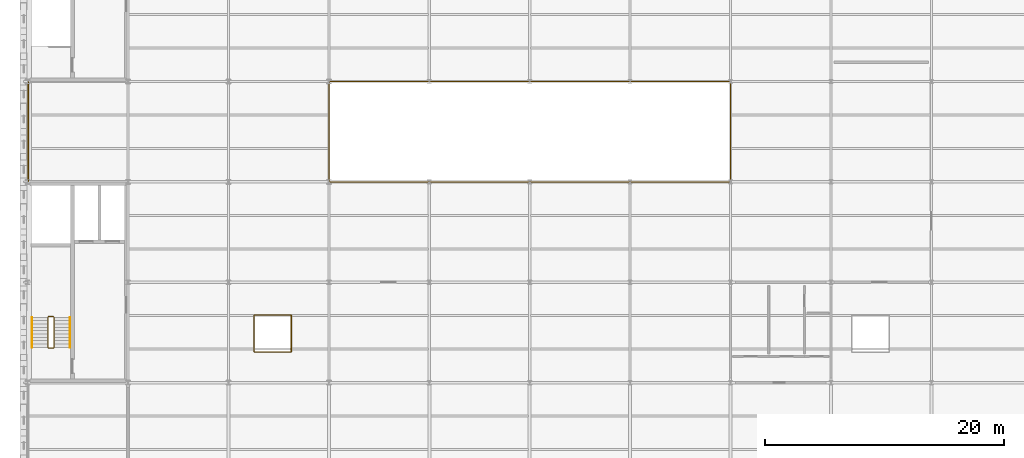
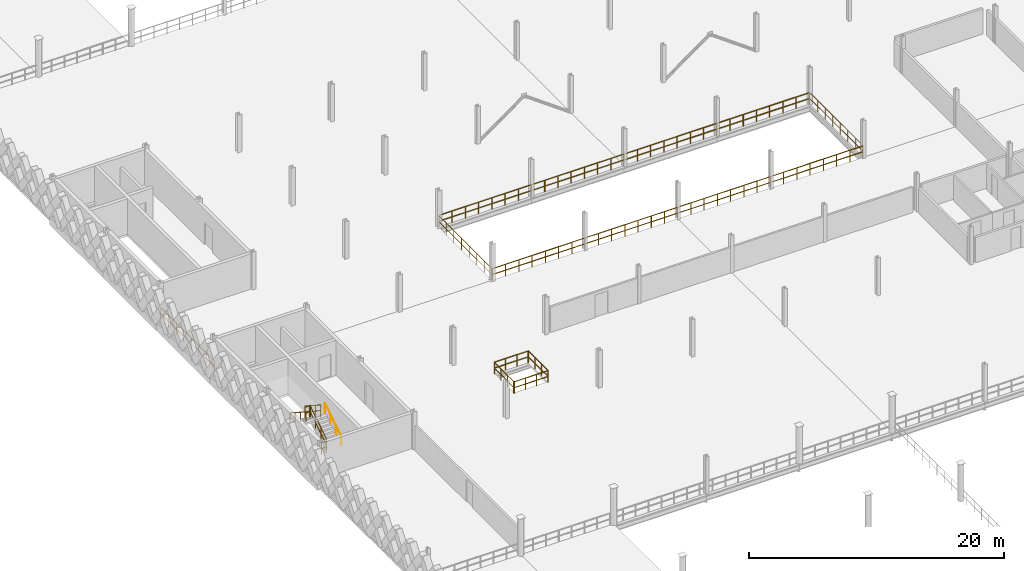
# One storey, part 44 of 47: 15 railings.
"""IFC4 building model written with IfcOpenShell, lengths in metres."""

import ifcopenshell
import ifcopenshell.guid

model = None  # the IFC model being written
_history = None  # IfcOwnerHistory: only IFC2X3 demands one
_inside = {}  # id of a spatial element -> (the spatial element, [elements in it])
_under = {}  # id of a project, library or spatial element -> (it, [spatial elements below it])
_declared = {}  # id of a project -> (the project, [libraries it declares])
_typed = {}  # id of a type object -> (the type object, [elements of that type])
_made_of = {}  # id of a material, layer set ... -> (it, [elements and type objects made of it])


def new_model(schema):
    """Start an empty IFC model of exactly this schema.

    Asked for "IFC4X3", IfcOpenShell would pick the latest addendum, in which some entities
    have other attributes; the version numbers below select the first issue.
    IFC2X3 requires an IfcOwnerHistory on every rooted entity: one is made here for all.
    """
    global model, _history
    if schema == "IFC4X3":
        model = ifcopenshell.file(schema_version=(4, 3, 0, 0))
    else:
        model = ifcopenshell.file(schema=schema)
    _inside.clear()
    _under.clear()
    _declared.clear()
    _typed.clear()
    _made_of.clear()
    _history = None
    if model.schema == "IFC2X3":
        org = make("IfcOrganization", Name="unknown")
        user = make(
            "IfcPersonAndOrganization",
            ThePerson=make("IfcPerson", FamilyName="unknown"),
            TheOrganization=org,
        )
        app = make(
            "IfcApplication",
            ApplicationDeveloper=org,
            Version="unknown",
            ApplicationFullName="unknown",
            ApplicationIdentifier="unknown",
        )
        _history = make(
            "IfcOwnerHistory",
            OwningUser=user,
            OwningApplication=app,
            ChangeAction="ADDED",
            CreationDate=0,
        )
    return model


def make(cls, **values):
    """One entity of the class cls with the attributes given. An attribute that is None is left unset."""
    return model.create_entity(
        cls, **{name: value for name, value in values.items() if value is not None}
    )


def rooted(cls, **values):
    """An entity with a GlobalId (a new one), such as an element, a storey or a relation."""
    return make(cls, GlobalId=ifcopenshell.guid.new(), OwnerHistory=_history, **values)


def si_unit(unit_type, name, prefix=None):
    """IfcSIUnit, for example si_unit("LENGTHUNIT", "METRE", prefix="MILLI")."""
    return make("IfcSIUnit", UnitType=unit_type, Prefix=prefix, Name=name)


def assignment(units):
    """IfcUnitAssignment: the units of a project."""
    return None if units is None else make("IfcUnitAssignment", Units=units)


def point(xyz):
    """IfcCartesianPoint."""
    return None if xyz is None else make("IfcCartesianPoint", Coordinates=xyz)


def direction(xyz):
    """IfcDirection."""
    return None if xyz is None else make("IfcDirection", DirectionRatios=xyz)


def frame(location, z_axis=None, x_axis=None):
    """IfcAxis2Placement3D, a coordinate frame: its origin and axes. An axis left out is left unset."""
    return make(
        "IfcAxis2Placement3D",
        Location=point(location),
        Axis=direction(z_axis),
        RefDirection=direction(x_axis),
    )


def frame_2d(location, x_axis=None):
    """IfcAxis2Placement2D, a coordinate frame in the plane: its origin and x axis."""
    return make(
        "IfcAxis2Placement2D", Location=point(location), RefDirection=direction(x_axis)
    )


def origin():
    """The frame at (0, 0, 0) with its axes left unset."""
    return frame((0.0, 0.0, 0.0))


def origin_2d():
    """The frame at (0, 0) in the plane with its x axis left unset."""
    return frame_2d((0.0, 0.0))


def place(relative_to, where):
    """IfcLocalPlacement: puts the frame where relative to a parent placement (None: the world)."""
    return make(
        "IfcLocalPlacement", PlacementRelTo=relative_to, RelativePlacement=where
    )


def context(
    kind, dimensions, precision=None, world=None, true_north=None, identifier=None
):
    """IfcGeometricRepresentationContext, for example the 3D "Model" context."""
    return make(
        "IfcGeometricRepresentationContext",
        ContextIdentifier=identifier,
        ContextType=kind,
        CoordinateSpaceDimension=dimensions,
        Precision=precision,
        WorldCoordinateSystem=world,
        TrueNorth=true_north,
    )


def subcontext(parent, identifier, kind, view, scale=None):
    """IfcGeometricRepresentationSubContext, for example "Body" below "Model"."""
    return make(
        "IfcGeometricRepresentationSubContext",
        ContextIdentifier=identifier,
        ContextType=kind,
        ParentContext=parent,
        TargetScale=scale,
        TargetView=view,
    )


def project(units=None, contexts=None):
    """IfcProject with its units and contexts."""
    return rooted(
        "IfcProject",
        Name="project",
        RepresentationContexts=contexts,
        UnitsInContext=assignment(units),
    )


def spatial(cls, under=None, at=None, **own):
    """A site, building, storey or space (cls), placed at a placement, below another one or the project."""
    s = rooted(cls, ObjectPlacement=at, **own)
    if under is not None:
        _under.setdefault(under.id(), (under, []))[1].append(s)
    return s


def profile(cls, at=None, kind="AREA", **sizes):
    """A parametric profile (cls). Its sizes go by their IFC names, for example OverallWidth=200.0."""
    return make(cls, ProfileType=kind, Position=at, **sizes)


def circle(**sizes):
    """IfcCircleProfileDef."""
    return profile("IfcCircleProfileDef", **sizes)


def extrude(swept, where, along, depth):
    """IfcExtrudedAreaSolid: the profile swept, set in the frame where, extruded along a direction by depth."""
    return make(
        "IfcExtrudedAreaSolid",
        SweptArea=swept,
        Position=where,
        ExtrudedDirection=direction(along),
        Depth=depth,
    )


def shape(context_of_items, identifier, shape_type, items):
    """IfcShapeRepresentation: the items that make up one representation, for example the "Body"."""
    return make(
        "IfcShapeRepresentation",
        ContextOfItems=context_of_items,
        RepresentationIdentifier=identifier,
        RepresentationType=shape_type,
        Items=items,
    )


def material(Name=None, Category=None):
    """IfcMaterial."""
    return make("IfcMaterial", Name=Name, Category=Category)


def made_of(thing, what):
    """Note that an element or type object is made of a material, layer set ...; save() writes the relation."""
    if what is not None:
        _made_of.setdefault(what.id(), (what, []))[1].append(thing)
    return thing


def type_object(cls, material=None, **own):
    """A type object (cls), such as IfcWallType, which elements share."""
    return made_of(rooted(cls, **own), material)


def element(
    cls,
    number,
    at=None,
    inside=None,
    cuts=None,
    type_object=None,
    material=None,
    context=None,
    identifier="Body",
    shape_type=None,
    held_by="IfcProductDefinitionShape",
    body=None,
    shapes=None,
    **own,
):
    """One element of the class cls, such as IfcWall. Its Tag is "e" and its number.

    at: its placement. inside: the storey or other place that contains it. cuts: it is an
    opening in that element (IfcRelVoidsElement). A single representation is given by context,
    identifier, shape_type and body (its items); several are given by shapes. held_by: the class
    of the entity that holds the representations. save() writes the other relations.
    """
    e = rooted(cls, Tag="e%d" % number, ObjectPlacement=at, **own)
    if body is not None:
        shapes = [shape(context, identifier, shape_type, body)]
    if shapes is not None:
        e.Representation = make(held_by, Representations=shapes)
    if inside is not None:
        _inside.setdefault(inside.id(), (inside, []))[1].append(e)
    if cuts is not None:
        rooted(
            "IfcRelVoidsElement", RelatingBuildingElement=cuts, RelatedOpeningElement=e
        )
    if type_object is not None:
        _typed.setdefault(type_object.id(), (type_object, []))[1].append(e)
    return made_of(e, material)


def aggregate(whole, parts):
    """IfcRelAggregates: a whole, such as a stair, and the parts it consists of."""
    return rooted("IfcRelAggregates", RelatingObject=whole, RelatedObjects=parts)


def save(model, path):
    """Write the relations noted so far, then the file.

    IfcRelAggregates (storeys below a building ...), IfcRelContainedInSpatialStructure (elements
    in a storey), IfcRelDefinesByType, IfcRelAssociatesMaterial and IfcRelDeclares: one each for
    every whole, place, type object, material and project.
    """
    for whole, parts in _under.values():
        aggregate(whole, parts)
    for where, things in _inside.values():
        rooted(
            "IfcRelContainedInSpatialStructure",
            RelatedElements=things,
            RelatingStructure=where,
        )
    for kind, things in _typed.values():
        rooted("IfcRelDefinesByType", RelatedObjects=things, RelatingType=kind)
    for what, things in _made_of.values():
        rooted("IfcRelAssociatesMaterial", RelatedObjects=things, RelatingMaterial=what)
    for by, libraries in _declared.values():
        rooted("IfcRelDeclares", RelatingContext=by, RelatedDefinitions=libraries)
    model.write(path)


model = new_model("IFC4")

# Units and contexts
model_context = context("Model", 3, precision=1e-05, world=origin(), true_north=direction((0.0, 1.0)))
body_context = subcontext(model_context, "Body", "Model", "MODEL_VIEW")
ifc_project = project(units=[si_unit("LENGTHUNIT", "METRE"), si_unit("AREAUNIT", "SQUARE_METRE"), si_unit("VOLUMEUNIT", "CUBIC_METRE"), si_unit("PLANEANGLEUNIT", "RADIAN"), si_unit("MASSUNIT", "GRAM", prefix="KILO"), si_unit("THERMODYNAMICTEMPERATUREUNIT", "KELVIN"), si_unit("POWERUNIT", "WATT")], contexts=[model_context])

# Site, building, storey
site_placement = place(None, origin())
site = spatial("IfcSite", under=ifc_project, at=site_placement, CompositionType="ELEMENT")
building_placement = place(site_placement, origin())
building = spatial("IfcBuilding", under=site, at=building_placement, Name="Tembeka Court Mobility Hub", CompositionType="ELEMENT")
storey_placement = place(building_placement, frame((0.0, 0.0, 19.800048828125)))
storey = spatial("IfcBuildingStorey", under=building, at=storey_placement, Name="L05", CompositionType="ELEMENT", Elevation=19.800048828125)

# Railings
ifc_material_1 = material(Name="Painted galvanised steel balustrade", Category="steel")
railing_type_1 = type_object("IfcRailingType", Name="RL-GR01", PredefinedType="GUARDRAIL", material=ifc_material_1)
railing_1_placement = place(storey_placement, frame((18.97998046875, 40.949951171875, 0.0)))
element("IfcRailing", 1, at=railing_1_placement, inside=storey, type_object=railing_type_1, Name="Perimeter guard GR01-0159", PredefinedType="GUARDRAIL", context=body_context, shape_type="SweptSolid", body=[
    extrude(circle(Radius=0.02392578125, at=origin_2d()), frame((0.0, 0.0, 1.09619140625), z_axis=(1.0, 0.0, 0.0), x_axis=(0.0, 1.0, 0.0)), (0.0, 0.0, 1.0), 3.0400390625),
    extrude(circle(Radius=0.02392578125, at=origin_2d()), frame((0.0, 0.0, 0.5361328125), z_axis=(1.0, 0.0, 0.0), x_axis=(0.0, 1.0, 0.0)), (0.0, 0.0, 1.0), 3.0400390625),
    extrude(circle(Radius=0.02099609375, at=origin_2d()), origin(), (0.0, 0.0, 1.0), 1.072021484375),
    extrude(circle(Radius=0.02099609375, at=origin_2d()), frame((1.013427734375, 0.0, 0.0)), (0.0, 0.0, 1.0), 1.072021484375),
    extrude(circle(Radius=0.02099609375, at=origin_2d()), frame((2.026611328125, 0.0, 0.0)), (0.0, 0.0, 1.0), 1.072021484375),
    extrude(circle(Radius=0.02099609375, at=origin_2d()), frame((3.0400390625, 0.0, 0.0)), (0.0, 0.0, 1.0), 1.072021484375),
])
railing_2_placement = place(storey_placement, frame((22.050048828125, 40.97998046875, 0.0)))
element("IfcRailing", 2, at=railing_2_placement, inside=storey, type_object=railing_type_1, Name="Perimeter guard GR01-0160", PredefinedType="GUARDRAIL", context=body_context, shape_type="SweptSolid", body=[
    extrude(circle(Radius=0.02392578125, at=origin_2d()), frame((0.0, 0.0, 1.09619140625), z_axis=(0.0, 1.0, 0.0), x_axis=(-1.0, 0.0, 0.0)), (0.0, 0.0, 1.0), 3.0400390625),
    extrude(circle(Radius=0.02392578125, at=origin_2d()), frame((0.0, 0.0, 0.5361328125), z_axis=(0.0, 1.0, 0.0), x_axis=(-1.0, 0.0, 0.0)), (0.0, 0.0, 1.0), 3.0400390625),
    extrude(circle(Radius=0.02099609375, at=origin_2d()), origin(), (0.0, 0.0, 1.0), 1.072021484375),
    extrude(circle(Radius=0.02099609375, at=origin_2d()), frame((0.0, 1.013427734375, 0.0)), (0.0, 0.0, 1.0), 1.072021484375),
    extrude(circle(Radius=0.02099609375, at=origin_2d()), frame((0.0, 2.026611328125, 0.0)), (0.0, 0.0, 1.0), 1.072021484375),
    extrude(circle(Radius=0.02099609375, at=origin_2d()), frame((0.0, 3.0400390625, 0.0)), (0.0, 0.0, 1.0), 1.072021484375),
])
railing_3_placement = place(storey_placement, frame((22.02001953125, 44.050048828125, 0.0)))
element("IfcRailing", 3, at=railing_3_placement, inside=storey, type_object=railing_type_1, Name="Perimeter guard GR01-0161", PredefinedType="GUARDRAIL", context=body_context, shape_type="SweptSolid", body=[
    extrude(circle(Radius=0.02392578125, at=origin_2d()), frame((0.0, 0.0, 1.09619140625), z_axis=(-1.0, 0.0, 0.0), x_axis=(0.0, -1.0, 0.0)), (0.0, 0.0, 1.0), 3.0400390625),
    extrude(circle(Radius=0.02392578125, at=origin_2d()), frame((0.0, 0.0, 0.5361328125), z_axis=(-1.0, 0.0, 0.0), x_axis=(0.0, -1.0, 0.0)), (0.0, 0.0, 1.0), 3.0400390625),
    extrude(circle(Radius=0.02099609375, at=origin_2d()), origin(), (0.0, 0.0, 1.0), 1.072021484375),
    extrude(circle(Radius=0.02099609375, at=origin_2d()), frame((-1.013427734375, 0.0, 0.0)), (0.0, 0.0, 1.0), 1.072021484375),
    extrude(circle(Radius=0.02099609375, at=origin_2d()), frame((-2.026611328125, 0.0, 0.0)), (0.0, 0.0, 1.0), 1.072021484375),
    extrude(circle(Radius=0.02099609375, at=origin_2d()), frame((-3.0400390625, 0.0, 0.0)), (0.0, 0.0, 1.0), 1.072021484375),
])
railing_4_placement = place(storey_placement, frame((18.949951171875, 44.02001953125, 0.0)))
element("IfcRailing", 4, at=railing_4_placement, inside=storey, type_object=railing_type_1, Name="Perimeter guard GR01-0162", PredefinedType="GUARDRAIL", context=body_context, shape_type="SweptSolid", body=[
    extrude(circle(Radius=0.02392578125, at=origin_2d()), frame((0.0, 0.0, 1.09619140625), z_axis=(0.0, -1.0, 0.0), x_axis=(1.0, 0.0, 0.0)), (0.0, 0.0, 1.0), 3.0400390625),
    extrude(circle(Radius=0.02392578125, at=origin_2d()), frame((0.0, 0.0, 0.5361328125), z_axis=(0.0, -1.0, 0.0), x_axis=(1.0, 0.0, 0.0)), (0.0, 0.0, 1.0), 3.0400390625),
    extrude(circle(Radius=0.02099609375, at=origin_2d()), origin(), (0.0, 0.0, 1.0), 1.072021484375),
    extrude(circle(Radius=0.02099609375, at=origin_2d()), frame((0.0, -1.013427734375, 0.0)), (0.0, 0.0, 1.0), 1.072021484375),
    extrude(circle(Radius=0.02099609375, at=origin_2d()), frame((0.0, -2.026611328125, 0.0)), (0.0, 0.0, 1.0), 1.072021484375),
    extrude(circle(Radius=0.02099609375, at=origin_2d()), frame((0.0, -3.0400390625, 0.0)), (0.0, 0.0, 1.0), 1.072021484375),
])
railing_5_placement = place(storey_placement, frame((2.199951171875, 41.35009765625, 0.179931640625)))
element("IfcRailing", 5, at=railing_5_placement, inside=storey, type_object=railing_type_1, Name="L05 ST01 stair guard 1-1", PredefinedType="GUARDRAIL", context=body_context, shape_type="SweptSolid", body=[
    extrude(circle(Radius=0.02392578125, at=origin_2d()), frame((0.0, 0.0, 1.09619140625), z_axis=(0.0, 0.841162588446, 0.540782303519), x_axis=(-1.0, 0.0, 0.0)), (0.0, 0.0, 1.0), 2.995849609375),
    extrude(circle(Radius=0.02392578125, at=origin_2d()), frame((0.0, 0.0, 0.5361328125), z_axis=(0.0, 0.841162588446, 0.540782303519), x_axis=(-1.0, 0.0, 0.0)), (0.0, 0.0, 1.0), 2.995849609375),
    extrude(circle(Radius=0.02099609375, at=origin_2d()), origin(), (0.0, 0.0, 1.0), 1.072021484375),
    extrude(circle(Radius=0.02099609375, at=origin_2d()), frame((0.0, 0.840087890625, 0.5400390625)), (0.0, 0.0, 1.0), 1.072021484375),
    extrude(circle(Radius=0.02099609375, at=origin_2d()), frame((0.0, 1.679931640625, 1.080078125)), (0.0, 0.0, 1.0), 1.072021484375),
    extrude(circle(Radius=0.02099609375, at=origin_2d()), frame((0.0, 2.52001953125, 1.6201171875)), (0.0, 0.0, 1.0), 1.072021484375),
])
railing_6_placement = place(storey_placement, frame((2.14990234375, 43.919921875, 1.800048828125)))
element("IfcRailing", 6, at=railing_6_placement, inside=storey, type_object=railing_type_1, Name="L05 ST01 stair guard 2-1", PredefinedType="GUARDRAIL", context=body_context, shape_type="SweptSolid", body=[
    extrude(circle(Radius=0.02392578125, at=origin_2d()), frame((0.0, 0.0, 1.09619140625), z_axis=(-1.0, 0.0, 0.0), x_axis=(0.0, -1.0, 0.0)), (0.0, 0.0, 1.0), 0.39990234375),
    extrude(circle(Radius=0.02392578125, at=origin_2d()), frame((0.0, 0.0, 0.5361328125), z_axis=(-1.0, 0.0, 0.0), x_axis=(0.0, -1.0, 0.0)), (0.0, 0.0, 1.0), 0.39990234375),
    extrude(circle(Radius=0.02099609375, at=origin_2d()), origin(), (0.0, 0.0, 1.0), 1.072021484375),
    extrude(circle(Radius=0.02099609375, at=origin_2d()), frame((-0.39990234375, 0.0, 0.0)), (0.0, 0.0, 1.0), 1.072021484375),
])
railing_7_placement = place(storey_placement, frame((1.699951171875, 43.8701171875, 1.97998046875)))
element("IfcRailing", 7, at=railing_7_placement, inside=storey, type_object=railing_type_1, Name="L05 ST01 stair guard 3-1", PredefinedType="GUARDRAIL", context=body_context, shape_type="SweptSolid", body=[
    extrude(circle(Radius=0.02392578125, at=origin_2d()), frame((0.0, 0.0, 1.09619140625), z_axis=(0.0, -0.841199657755, 0.540724639528), x_axis=(1.0, 0.0, 0.0)), (0.0, 0.0, 1.0), 2.995849609375),
    extrude(circle(Radius=0.02392578125, at=origin_2d()), frame((0.0, 0.0, 0.5361328125), z_axis=(0.0, -0.841199657755, 0.540724639528), x_axis=(1.0, 0.0, 0.0)), (0.0, 0.0, 1.0), 2.995849609375),
    extrude(circle(Radius=0.02099609375, at=origin_2d()), origin(), (0.0, 0.0, 1.0), 1.072021484375),
    extrude(circle(Radius=0.02099609375, at=origin_2d()), frame((0.0, -0.840087890625, 0.5400390625)), (0.0, 0.0, 1.0), 1.072021484375),
    extrude(circle(Radius=0.02099609375, at=origin_2d()), frame((0.0, -1.679931640625, 1.079833984375)), (0.0, 0.0, 1.0), 1.072021484375),
    extrude(circle(Radius=0.02099609375, at=origin_2d()), frame((0.0, -2.52001953125, 1.619873046875)), (0.0, 0.0, 1.0), 1.072021484375),
])
railing_8_placement = place(storey_placement, frame((2.14990234375, 41.300048828125, 0.0)))
element("IfcRailing", 8, at=railing_8_placement, inside=storey, type_object=railing_type_1, Name="L05 ST01 stair guard 4-1", PredefinedType="GUARDRAIL", context=body_context, shape_type="SweptSolid", body=[
    extrude(circle(Radius=0.02392578125, at=origin_2d()), frame((0.0, 0.0, 1.09619140625), z_axis=(-1.0, 0.0, 0.0), x_axis=(0.0, -1.0, 0.0)), (0.0, 0.0, 1.0), 0.39990234375),
    extrude(circle(Radius=0.02392578125, at=origin_2d()), frame((0.0, 0.0, 0.5361328125), z_axis=(-1.0, 0.0, 0.0), x_axis=(0.0, -1.0, 0.0)), (0.0, 0.0, 1.0), 0.39990234375),
    extrude(circle(Radius=0.02099609375, at=origin_2d()), origin(), (0.0, 0.0, 1.0), 1.072021484375),
    extrude(circle(Radius=0.02099609375, at=origin_2d()), frame((-0.39990234375, 0.0, 0.0)), (0.0, 0.0, 1.0), 1.072021484375),
])
railing_type_2 = type_object("IfcRailingType", Name="RL-GR02", PredefinedType="GUARDRAIL", material=ifc_material_1)
railing_9_placement = place(storey_placement, frame((25.22998046875, 55.199951171875, 0.0)))
element("IfcRailing", 9, at=railing_9_placement, inside=storey, type_object=railing_type_2, Name="Perimeter guard GR02-0155", PredefinedType="GUARDRAIL", context=body_context, shape_type="SweptSolid", body=[
    extrude(circle(Radius=0.02392578125, at=origin_2d()), frame((0.0, 0.0, 1.09619140625), z_axis=(1.0, 0.0, 0.0), x_axis=(0.0, 1.0, 0.0)), (0.0, 0.0, 1.0), 33.5400390625),
    extrude(circle(Radius=0.02392578125, at=origin_2d()), frame((0.0, 0.0, 0.5361328125), z_axis=(1.0, 0.0, 0.0), x_axis=(0.0, 1.0, 0.0)), (0.0, 0.0, 1.0), 33.5400390625),
    extrude(circle(Radius=0.02099609375, at=origin_2d()), origin(), (0.0, 0.0, 1.0), 1.072021484375),
    extrude(circle(Radius=0.02099609375, at=origin_2d()), frame((1.19775390625, 0.0, 0.0)), (0.0, 0.0, 1.0), 1.072021484375),
    extrude(circle(Radius=0.02099609375, at=origin_2d()), frame((2.395751953125, 0.0, 0.0)), (0.0, 0.0, 1.0), 1.072021484375),
    extrude(circle(Radius=0.02099609375, at=origin_2d()), frame((3.593505859375, 0.0, 0.0)), (0.0, 0.0, 1.0), 1.072021484375),
    extrude(circle(Radius=0.02099609375, at=origin_2d()), frame((4.79150390625, 0.0, 0.0)), (0.0, 0.0, 1.0), 1.072021484375),
    extrude(circle(Radius=0.02099609375, at=origin_2d()), frame((5.9892578125, 0.0, 0.0)), (0.0, 0.0, 1.0), 1.072021484375),
    extrude(circle(Radius=0.02099609375, at=origin_2d()), frame((7.187255859375, 0.0, 0.0)), (0.0, 0.0, 1.0), 1.072021484375),
    extrude(circle(Radius=0.02099609375, at=origin_2d()), frame((8.385009765625, 0.0, 0.0)), (0.0, 0.0, 1.0), 1.072021484375),
    extrude(circle(Radius=0.02099609375, at=origin_2d()), frame((9.582763671875, 0.0, 0.0)), (0.0, 0.0, 1.0), 1.072021484375),
    extrude(circle(Radius=0.02099609375, at=origin_2d()), frame((10.78076171875, 0.0, 0.0)), (0.0, 0.0, 1.0), 1.072021484375),
    extrude(circle(Radius=0.02099609375, at=origin_2d()), frame((11.978515625, 0.0, 0.0)), (0.0, 0.0, 1.0), 1.072021484375),
    extrude(circle(Radius=0.02099609375, at=origin_2d()), frame((13.176513671875, 0.0, 0.0)), (0.0, 0.0, 1.0), 1.072021484375),
    extrude(circle(Radius=0.02099609375, at=origin_2d()), frame((14.374267578125, 0.0, 0.0)), (0.0, 0.0, 1.0), 1.072021484375),
    extrude(circle(Radius=0.02099609375, at=origin_2d()), frame((15.572265625, 0.0, 0.0)), (0.0, 0.0, 1.0), 1.072021484375),
    extrude(circle(Radius=0.02099609375, at=origin_2d()), frame((16.77001953125, 0.0, 0.0)), (0.0, 0.0, 1.0), 1.072021484375),
    extrude(circle(Radius=0.02099609375, at=origin_2d()), frame((17.9677734375, 0.0, 0.0)), (0.0, 0.0, 1.0), 1.072021484375),
    extrude(circle(Radius=0.02099609375, at=origin_2d()), frame((19.165771484375, 0.0, 0.0)), (0.0, 0.0, 1.0), 1.072021484375),
    extrude(circle(Radius=0.02099609375, at=origin_2d()), frame((20.363525390625, 0.0, 0.0)), (0.0, 0.0, 1.0), 1.072021484375),
    extrude(circle(Radius=0.02099609375, at=origin_2d()), frame((21.5615234375, 0.0, 0.0)), (0.0, 0.0, 1.0), 1.072021484375),
    extrude(circle(Radius=0.02099609375, at=origin_2d()), frame((22.75927734375, 0.0, 0.0)), (0.0, 0.0, 1.0), 1.072021484375),
    extrude(circle(Radius=0.02099609375, at=origin_2d()), frame((23.957275390625, 0.0, 0.0)), (0.0, 0.0, 1.0), 1.072021484375),
    extrude(circle(Radius=0.02099609375, at=origin_2d()), frame((25.155029296875, 0.0, 0.0)), (0.0, 0.0, 1.0), 1.072021484375),
    extrude(circle(Radius=0.02099609375, at=origin_2d()), frame((26.352783203125, 0.0, 0.0)), (0.0, 0.0, 1.0), 1.072021484375),
    extrude(circle(Radius=0.02099609375, at=origin_2d()), frame((27.55078125, 0.0, 0.0)), (0.0, 0.0, 1.0), 1.072021484375),
    extrude(circle(Radius=0.02099609375, at=origin_2d()), frame((28.74853515625, 0.0, 0.0)), (0.0, 0.0, 1.0), 1.072021484375),
    extrude(circle(Radius=0.02099609375, at=origin_2d()), frame((29.946533203125, 0.0, 0.0)), (0.0, 0.0, 1.0), 1.072021484375),
    extrude(circle(Radius=0.02099609375, at=origin_2d()), frame((31.144287109375, 0.0, 0.0)), (0.0, 0.0, 1.0), 1.072021484375),
    extrude(circle(Radius=0.02099609375, at=origin_2d()), frame((32.34228515625, 0.0, 0.0)), (0.0, 0.0, 1.0), 1.072021484375),
    extrude(circle(Radius=0.02099609375, at=origin_2d()), frame((33.5400390625, 0.0, 0.0)), (0.0, 0.0, 1.0), 1.072021484375),
])
railing_10_placement = place(storey_placement, frame((58.800048828125, 55.22998046875, 0.0)))
element("IfcRailing", 10, at=railing_10_placement, inside=storey, type_object=railing_type_2, Name="Perimeter guard GR02-0156", PredefinedType="GUARDRAIL", context=body_context, shape_type="SweptSolid", body=[
    extrude(circle(Radius=0.02392578125, at=origin_2d()), frame((0.0, 0.0, 1.09619140625), z_axis=(0.0, 1.0, 0.0), x_axis=(-1.0, 0.0, 0.0)), (0.0, 0.0, 1.0), 8.340087890625),
    extrude(circle(Radius=0.02392578125, at=origin_2d()), frame((0.0, 0.0, 0.5361328125), z_axis=(0.0, 1.0, 0.0), x_axis=(-1.0, 0.0, 0.0)), (0.0, 0.0, 1.0), 8.340087890625),
    extrude(circle(Radius=0.02099609375, at=origin_2d()), origin(), (0.0, 0.0, 1.0), 1.072021484375),
    extrude(circle(Radius=0.02099609375, at=origin_2d()), frame((0.0, 1.19140625, 0.0)), (0.0, 0.0, 1.0), 1.072021484375),
    extrude(circle(Radius=0.02099609375, at=origin_2d()), frame((0.0, 2.3828125, 0.0)), (0.0, 0.0, 1.0), 1.072021484375),
    extrude(circle(Radius=0.02099609375, at=origin_2d()), frame((0.0, 3.57421875, 0.0)), (0.0, 0.0, 1.0), 1.072021484375),
    extrude(circle(Radius=0.02099609375, at=origin_2d()), frame((0.0, 4.765869140625, 0.0)), (0.0, 0.0, 1.0), 1.072021484375),
    extrude(circle(Radius=0.02099609375, at=origin_2d()), frame((0.0, 5.957275390625, 0.0)), (0.0, 0.0, 1.0), 1.072021484375),
    extrude(circle(Radius=0.02099609375, at=origin_2d()), frame((0.0, 7.148681640625, 0.0)), (0.0, 0.0, 1.0), 1.072021484375),
    extrude(circle(Radius=0.02099609375, at=origin_2d()), frame((0.0, 8.340087890625, 0.0)), (0.0, 0.0, 1.0), 1.072021484375),
])
railing_11_placement = place(storey_placement, frame((58.77001953125, 63.60009765625, 0.0)))
element("IfcRailing", 11, at=railing_11_placement, inside=storey, type_object=railing_type_2, Name="Perimeter guard GR02-0157", PredefinedType="GUARDRAIL", context=body_context, shape_type="SweptSolid", body=[
    extrude(circle(Radius=0.02392578125, at=origin_2d()), frame((0.0, 0.0, 1.09619140625), z_axis=(-1.0, 0.0, 0.0), x_axis=(0.0, -1.0, 0.0)), (0.0, 0.0, 1.0), 33.5400390625),
    extrude(circle(Radius=0.02392578125, at=origin_2d()), frame((0.0, 0.0, 0.5361328125), z_axis=(-1.0, 0.0, 0.0), x_axis=(0.0, -1.0, 0.0)), (0.0, 0.0, 1.0), 33.5400390625),
    extrude(circle(Radius=0.02099609375, at=origin_2d()), origin(), (0.0, 0.0, 1.0), 1.072021484375),
    extrude(circle(Radius=0.02099609375, at=origin_2d()), frame((-1.19775390625, 0.0, 0.0)), (0.0, 0.0, 1.0), 1.072021484375),
    extrude(circle(Radius=0.02099609375, at=origin_2d()), frame((-2.395751953125, 0.0, 0.0)), (0.0, 0.0, 1.0), 1.072021484375),
    extrude(circle(Radius=0.02099609375, at=origin_2d()), frame((-3.593505859375, 0.0, 0.0)), (0.0, 0.0, 1.0), 1.072021484375),
    extrude(circle(Radius=0.02099609375, at=origin_2d()), frame((-4.79150390625, 0.0, 0.0)), (0.0, 0.0, 1.0), 1.072021484375),
    extrude(circle(Radius=0.02099609375, at=origin_2d()), frame((-5.9892578125, 0.0, 0.0)), (0.0, 0.0, 1.0), 1.072021484375),
    extrude(circle(Radius=0.02099609375, at=origin_2d()), frame((-7.187255859375, 0.0, 0.0)), (0.0, 0.0, 1.0), 1.072021484375),
    extrude(circle(Radius=0.02099609375, at=origin_2d()), frame((-8.385009765625, 0.0, 0.0)), (0.0, 0.0, 1.0), 1.072021484375),
    extrude(circle(Radius=0.02099609375, at=origin_2d()), frame((-9.582763671875, 0.0, 0.0)), (0.0, 0.0, 1.0), 1.072021484375),
    extrude(circle(Radius=0.02099609375, at=origin_2d()), frame((-10.78076171875, 0.0, 0.0)), (0.0, 0.0, 1.0), 1.072021484375),
    extrude(circle(Radius=0.02099609375, at=origin_2d()), frame((-11.978515625, 0.0, 0.0)), (0.0, 0.0, 1.0), 1.072021484375),
    extrude(circle(Radius=0.02099609375, at=origin_2d()), frame((-13.176513671875, 0.0, 0.0)), (0.0, 0.0, 1.0), 1.072021484375),
    extrude(circle(Radius=0.02099609375, at=origin_2d()), frame((-14.374267578125, 0.0, 0.0)), (0.0, 0.0, 1.0), 1.072021484375),
    extrude(circle(Radius=0.02099609375, at=origin_2d()), frame((-15.572265625, 0.0, 0.0)), (0.0, 0.0, 1.0), 1.072021484375),
    extrude(circle(Radius=0.02099609375, at=origin_2d()), frame((-16.77001953125, 0.0, 0.0)), (0.0, 0.0, 1.0), 1.072021484375),
    extrude(circle(Radius=0.02099609375, at=origin_2d()), frame((-17.9677734375, 0.0, 0.0)), (0.0, 0.0, 1.0), 1.072021484375),
    extrude(circle(Radius=0.02099609375, at=origin_2d()), frame((-19.165771484375, 0.0, 0.0)), (0.0, 0.0, 1.0), 1.072021484375),
    extrude(circle(Radius=0.02099609375, at=origin_2d()), frame((-20.363525390625, 0.0, 0.0)), (0.0, 0.0, 1.0), 1.072021484375),
    extrude(circle(Radius=0.02099609375, at=origin_2d()), frame((-21.5615234375, 0.0, 0.0)), (0.0, 0.0, 1.0), 1.072021484375),
    extrude(circle(Radius=0.02099609375, at=origin_2d()), frame((-22.75927734375, 0.0, 0.0)), (0.0, 0.0, 1.0), 1.072021484375),
    extrude(circle(Radius=0.02099609375, at=origin_2d()), frame((-23.957275390625, 0.0, 0.0)), (0.0, 0.0, 1.0), 1.072021484375),
    extrude(circle(Radius=0.02099609375, at=origin_2d()), frame((-25.155029296875, 0.0, 0.0)), (0.0, 0.0, 1.0), 1.072021484375),
    extrude(circle(Radius=0.02099609375, at=origin_2d()), frame((-26.352783203125, 0.0, 0.0)), (0.0, 0.0, 1.0), 1.072021484375),
    extrude(circle(Radius=0.02099609375, at=origin_2d()), frame((-27.55078125, 0.0, 0.0)), (0.0, 0.0, 1.0), 1.072021484375),
    extrude(circle(Radius=0.02099609375, at=origin_2d()), frame((-28.74853515625, 0.0, 0.0)), (0.0, 0.0, 1.0), 1.072021484375),
    extrude(circle(Radius=0.02099609375, at=origin_2d()), frame((-29.946533203125, 0.0, 0.0)), (0.0, 0.0, 1.0), 1.072021484375),
    extrude(circle(Radius=0.02099609375, at=origin_2d()), frame((-31.144287109375, 0.0, 0.0)), (0.0, 0.0, 1.0), 1.072021484375),
    extrude(circle(Radius=0.02099609375, at=origin_2d()), frame((-32.34228515625, 0.0, 0.0)), (0.0, 0.0, 1.0), 1.072021484375),
    extrude(circle(Radius=0.02099609375, at=origin_2d()), frame((-33.5400390625, 0.0, 0.0)), (0.0, 0.0, 1.0), 1.072021484375),
])
railing_12_placement = place(storey_placement, frame((25.199951171875, 63.570068359375, 0.0)))
element("IfcRailing", 12, at=railing_12_placement, inside=storey, type_object=railing_type_2, Name="Perimeter guard GR02-0158", PredefinedType="GUARDRAIL", context=body_context, shape_type="SweptSolid", body=[
    extrude(circle(Radius=0.02392578125, at=origin_2d()), frame((0.0, 0.0, 1.09619140625), z_axis=(0.0, -1.0, 0.0), x_axis=(1.0, 0.0, 0.0)), (0.0, 0.0, 1.0), 8.340087890625),
    extrude(circle(Radius=0.02392578125, at=origin_2d()), frame((0.0, 0.0, 0.5361328125), z_axis=(0.0, -1.0, 0.0), x_axis=(1.0, 0.0, 0.0)), (0.0, 0.0, 1.0), 8.340087890625),
    extrude(circle(Radius=0.02099609375, at=origin_2d()), origin(), (0.0, 0.0, 1.0), 1.072021484375),
    extrude(circle(Radius=0.02099609375, at=origin_2d()), frame((0.0, -1.19140625, 0.0)), (0.0, 0.0, 1.0), 1.072021484375),
    extrude(circle(Radius=0.02099609375, at=origin_2d()), frame((0.0, -2.3828125, 0.0)), (0.0, 0.0, 1.0), 1.072021484375),
    extrude(circle(Radius=0.02099609375, at=origin_2d()), frame((0.0, -3.57421875, 0.0)), (0.0, 0.0, 1.0), 1.072021484375),
    extrude(circle(Radius=0.02099609375, at=origin_2d()), frame((0.0, -4.765869140625, 0.0)), (0.0, 0.0, 1.0), 1.072021484375),
    extrude(circle(Radius=0.02099609375, at=origin_2d()), frame((0.0, -5.957275390625, 0.0)), (0.0, 0.0, 1.0), 1.072021484375),
    extrude(circle(Radius=0.02099609375, at=origin_2d()), frame((0.0, -7.148681640625, 0.0)), (0.0, 0.0, 1.0), 1.072021484375),
    extrude(circle(Radius=0.02099609375, at=origin_2d()), frame((0.0, -8.340087890625, 0.0)), (0.0, 0.0, 1.0), 1.072021484375),
])
railing_13_placement = place(storey_placement, frame((0.050048828125, 55.22998046875, 0.0)))
element("IfcRailing", 13, at=railing_13_placement, inside=storey, type_object=railing_type_2, Name="Perimeter guard GR02-0170", PredefinedType="GUARDRAIL", context=body_context, shape_type="SweptSolid", body=[
    extrude(circle(Radius=0.02392578125, at=origin_2d()), frame((0.0, 0.0, 1.09619140625), z_axis=(0.0, 1.0, 0.0), x_axis=(-1.0, 0.0, 0.0)), (0.0, 0.0, 1.0), 8.340087890625),
    extrude(circle(Radius=0.02392578125, at=origin_2d()), frame((0.0, 0.0, 0.5361328125), z_axis=(0.0, 1.0, 0.0), x_axis=(-1.0, 0.0, 0.0)), (0.0, 0.0, 1.0), 8.340087890625),
    extrude(circle(Radius=0.02099609375, at=origin_2d()), origin(), (0.0, 0.0, 1.0), 1.072021484375),
    extrude(circle(Radius=0.02099609375, at=origin_2d()), frame((0.0, 1.19140625, 0.0)), (0.0, 0.0, 1.0), 1.072021484375),
    extrude(circle(Radius=0.02099609375, at=origin_2d()), frame((0.0, 2.3828125, 0.0)), (0.0, 0.0, 1.0), 1.072021484375),
    extrude(circle(Radius=0.02099609375, at=origin_2d()), frame((0.0, 3.57421875, 0.0)), (0.0, 0.0, 1.0), 1.072021484375),
    extrude(circle(Radius=0.02099609375, at=origin_2d()), frame((0.0, 4.765869140625, 0.0)), (0.0, 0.0, 1.0), 1.072021484375),
    extrude(circle(Radius=0.02099609375, at=origin_2d()), frame((0.0, 5.957275390625, 0.0)), (0.0, 0.0, 1.0), 1.072021484375),
    extrude(circle(Radius=0.02099609375, at=origin_2d()), frame((0.0, 7.148681640625, 0.0)), (0.0, 0.0, 1.0), 1.072021484375),
    extrude(circle(Radius=0.02099609375, at=origin_2d()), frame((0.0, 8.340087890625, 0.0)), (0.0, 0.0, 1.0), 1.072021484375),
])
ifc_material_2 = material(Name="Brushed stainless steel handrail", Category="steel")
railing_type_3 = type_object("IfcRailingType", Name="RL-HR01", PredefinedType="HANDRAIL", material=ifc_material_2)
railing_14_placement = place(storey_placement, frame((3.550048828125, 41.35009765625, 0.179931640625)))
element("IfcRailing", 14, at=railing_14_placement, inside=storey, type_object=railing_type_3, Name="L05 ST01 handrail 1-1", PredefinedType="HANDRAIL", context=body_context, shape_type="SweptSolid", body=[
    extrude(circle(Radius=0.02392578125, at=origin_2d()), frame((0.0, 0.0, 0.89599609375), z_axis=(0.0, 0.841162588446, 0.540782303519), x_axis=(-1.0, 0.0, 0.0)), (0.0, 0.0, 1.0), 2.995849609375),
    extrude(circle(Radius=0.02099609375, at=origin_2d()), origin(), (0.0, 0.0, 1.0), 0.871826171875),
    extrude(circle(Radius=0.02099609375, at=origin_2d()), frame((0.0, 0.840087890625, 0.5400390625)), (0.0, 0.0, 1.0), 0.871826171875),
    extrude(circle(Radius=0.02099609375, at=origin_2d()), frame((0.0, 1.679931640625, 1.080078125)), (0.0, 0.0, 1.0), 0.871826171875),
    extrude(circle(Radius=0.02099609375, at=origin_2d()), frame((0.0, 2.52001953125, 1.6201171875)), (0.0, 0.0, 1.0), 0.871826171875),
])
railing_15_placement = place(storey_placement, frame((0.35009765625, 43.8701171875, 1.97998046875)))
element("IfcRailing", 15, at=railing_15_placement, inside=storey, type_object=railing_type_3, Name="L05 ST01 handrail 2-1", PredefinedType="HANDRAIL", context=body_context, shape_type="SweptSolid", body=[
    extrude(circle(Radius=0.02392578125, at=origin_2d()), frame((0.0, 0.0, 0.89599609375), z_axis=(0.0, -0.841199657755, 0.540724639528), x_axis=(1.0, 0.0, 0.0)), (0.0, 0.0, 1.0), 2.995849609375),
    extrude(circle(Radius=0.02099609375, at=origin_2d()), origin(), (0.0, 0.0, 1.0), 0.871826171875),
    extrude(circle(Radius=0.02099609375, at=origin_2d()), frame((0.0, -0.840087890625, 0.5400390625)), (0.0, 0.0, 1.0), 0.871826171875),
    extrude(circle(Radius=0.02099609375, at=origin_2d()), frame((0.0, -1.679931640625, 1.079833984375)), (0.0, 0.0, 1.0), 0.871826171875),
    extrude(circle(Radius=0.02099609375, at=origin_2d()), frame((0.0, -2.52001953125, 1.619873046875)), (0.0, 0.0, 1.0), 0.871826171875),
])

save(model, "model.ifc")
